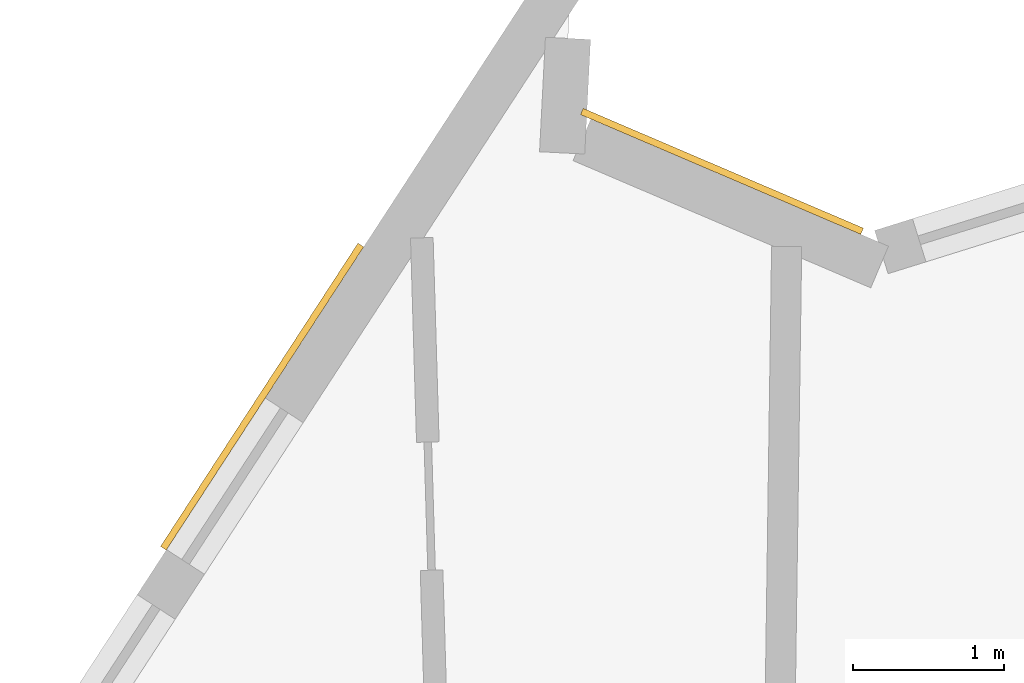
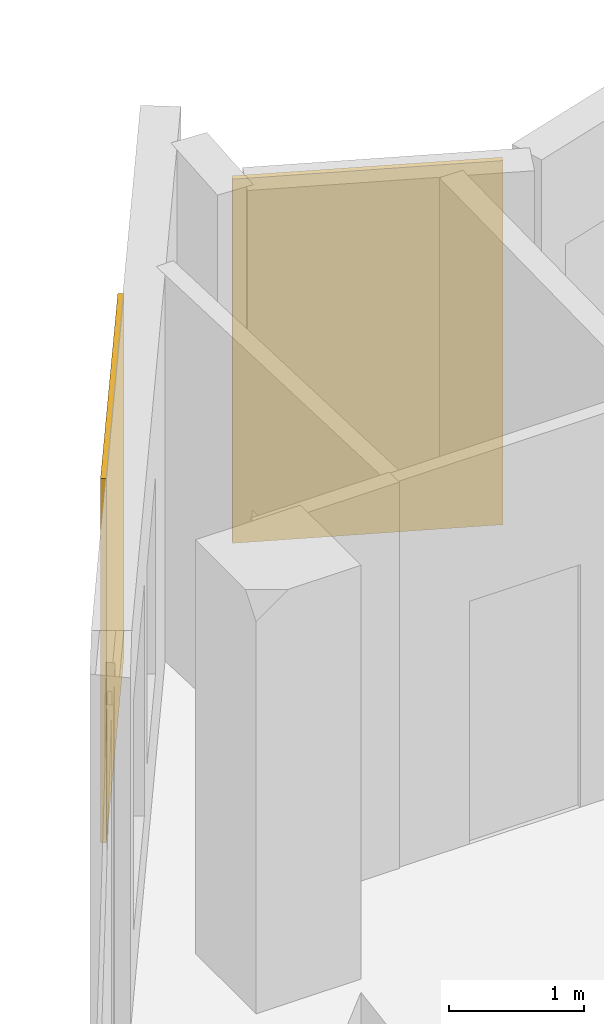
# One storey, part 11 of 11: 2 coverings.
"""IFC4 building model written with IfcOpenShell, lengths in metres."""

from ifc_helpers import new_model, si_unit, direction, frame, origin, origin_2d, place, context, subcontext, project, spatial, rectangle, extrude, material, layer, layer_set, type_object, element, save


model = new_model("IFC4")

# Units and contexts
model_context = context("Model", 3, precision=1e-05, world=origin(), true_north=direction((0.0, 1.0)))
body_context = subcontext(model_context, "Body", "Model", "MODEL_VIEW")
ifc_project = project(units=[si_unit("LENGTHUNIT", "METRE"), si_unit("AREAUNIT", "SQUARE_METRE"), si_unit("VOLUMEUNIT", "CUBIC_METRE"), si_unit("PLANEANGLEUNIT", "RADIAN"), si_unit("MASSUNIT", "GRAM", prefix="KILO")], contexts=[model_context])

# Site, building, storey
site_placement = place(None, origin())
site = spatial("IfcSite", under=ifc_project, at=site_placement, CompositionType="ELEMENT")
building_placement = place(site_placement, origin())
building = spatial("IfcBuilding", under=site, at=building_placement, Name="Almagre Mirador Tower", CompositionType="ELEMENT")
storey_placement = place(building_placement, frame((0.0, 0.0, 218.25)))
storey = spatial("IfcBuildingStorey", under=building, at=storey_placement, Name="L56", CompositionType="ELEMENT", Elevation=218.25)

# Coverings
ifc_material = material(Name="Almagre terracotta architectural cladding", Category="masonry")
ifc_layer = layer(ifc_material, 0.044921875)
ifc_layer_set = layer_set([ifc_layer], Name="Almagre terracotta architectural cladding")
covering_type = type_object("IfcCoveringType", Name="COV-CLAD-ALMAGRE", PredefinedType="CLADDING", material=ifc_layer_set)
covering_1_placement = place(storey_placement, frame((34.765625, 34.01220703125, 0.10009765625), z_axis=(0.0, 0.0, 1.0), x_axis=(0.54564863166, 0.838014063586, 0.0)))
element("IfcCovering", 1, at=covering_1_placement, inside=storey, type_object=covering_type, Name="L56 almagre terracotta pier cladding", PredefinedType="CLADDING", context=body_context, shape_type="SweptSolid", body=[
    extrude(rectangle(XDim=2.39990234375, YDim=0.044921875, at=origin_2d()), origin(), (0.0, 0.0, 1.0), 3.300048828125),
])
covering_2_placement = place(storey_placement, frame((37.81591796875, 35.506591796875, 0.10009765625), z_axis=(0.0, 0.0, 1.0), x_axis=(0.919533652089, -0.393011275507, 0.0)))
element("IfcCovering", 2, at=covering_2_placement, inside=storey, type_object=covering_type, Name="L56 almagre terracotta pier cladding", PredefinedType="CLADDING", context=body_context, shape_type="SweptSolid", body=[
    extrude(rectangle(XDim=2.02197265625, YDim=0.044921875, at=origin_2d()), origin(), (0.0, 0.0, 1.0), 3.300048828125),
])

save(model, "model.ifc")
